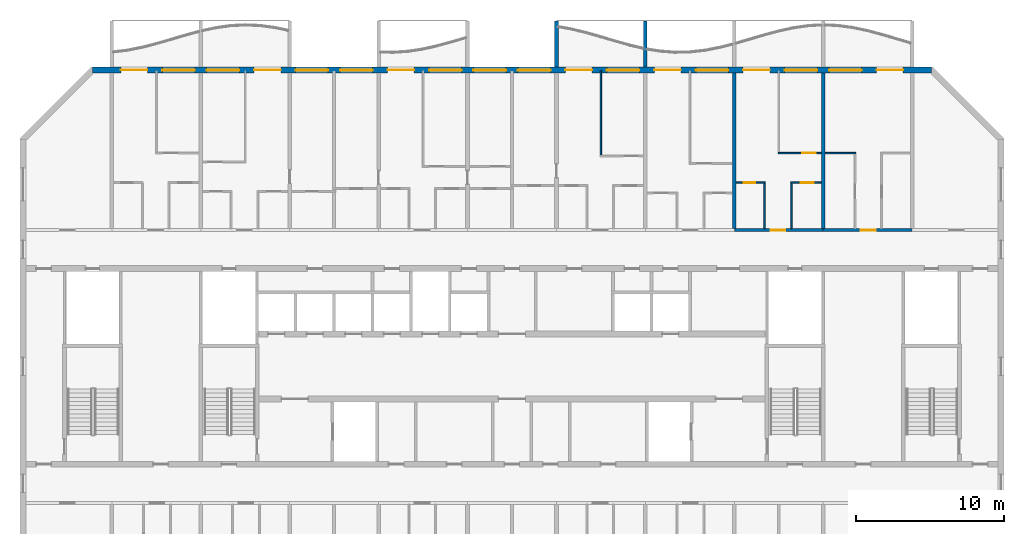
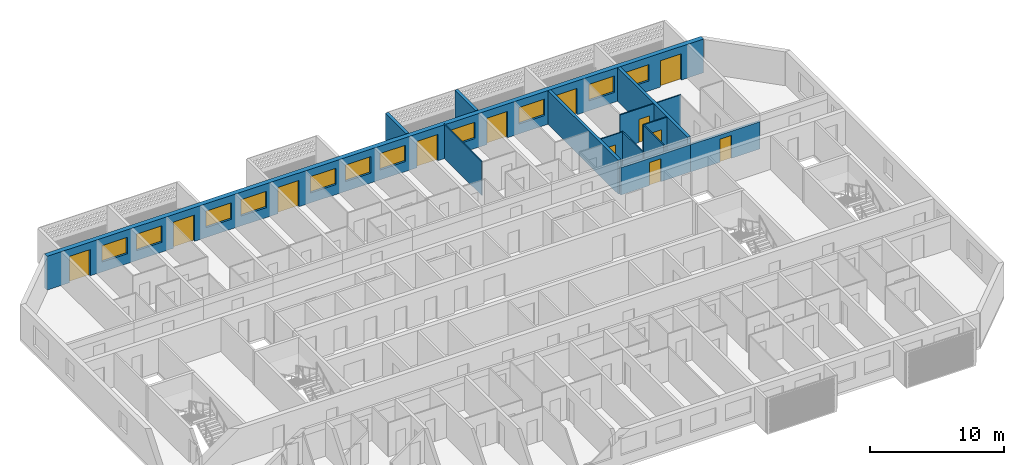
# One storey, part 10 of 28: 14 walls, 12 doors, 11 windows, 23 openings.
"""IFC4 building model written with IfcOpenShell, lengths in metres."""

from ifc_helpers import new_model, si_unit, direction, frame, frame_2d, origin, place, context, subcontext, project, spatial, polyline, rectangle, outline, extrude, source, transform, mapped, material, layer, layer_set, type_object, element, fill, save


model = new_model("IFC4")

# Units and contexts
model_context = context("Model", 3, precision=1e-05, world=origin(), true_north=direction((0.0, 1.0)))
body_context = subcontext(model_context, "Body", "Model", "MODEL_VIEW")
ifc_project = project(units=[si_unit("LENGTHUNIT", "METRE"), si_unit("AREAUNIT", "SQUARE_METRE"), si_unit("VOLUMEUNIT", "CUBIC_METRE"), si_unit("PLANEANGLEUNIT", "RADIAN"), si_unit("MASSUNIT", "GRAM", prefix="KILO")], contexts=[model_context])

# Site, building, storey
site_placement = place(None, origin())
site = spatial("IfcSite", under=ifc_project, at=site_placement, CompositionType="ELEMENT")
building_placement = place(site_placement, origin())
building = spatial("IfcBuilding", under=site, at=building_placement, Name="Poui Terraces", CompositionType="ELEMENT")
storey_placement = place(building_placement, frame((0.0, 0.0, 185.10009765625)))
storey = spatial("IfcBuildingStorey", under=building, at=storey_placement, Name="L51", CompositionType="ELEMENT", Elevation=185.10009765625)

# Wall, opening, door
ifc_material_1 = material(Name="Concrete 50 MPa", Category="concrete")
ifc_layer_1 = layer(ifc_material_1, 0.199951171875)
ifc_layer_set_1 = layer_set([ifc_layer_1], Name="Concrete 50 MPa")
wall_type_1 = type_object("IfcWallType", Name="CORRIDOR WALL 200 50MPa", PredefinedType="SHEAR", material=ifc_layer_set_1)
wall_1_placement = place(storey_placement, frame((66.0, 30.39990234375, 0.0), z_axis=(0.0, 0.0, 1.0), x_axis=(1.0, 0.0, 0.0)))
wall_1 = element("IfcWall", 1, at=wall_1_placement, inside=storey, type_object=wall_type_1, Name="CORRIDOR WALL LINE E BAY 9", PredefinedType="SHEAR", context=body_context, shape_type="SweptSolid", body=[
    extrude(rectangle(XDim=6.0, YDim=0.199951171875, at=frame_2d((3.0, 0.0))), origin(), (0.0, 0.0, 1.0), 2.47998046875),
])
opening_1_placement = place(wall_1_placement, frame((2.449951171875, 0.0, 0.0)))
opening_1 = element("IfcOpeningElement", 2, at=opening_1_placement, cuts=wall_1, Name="Opening FD30S", PredefinedType="OPENING", context=body_context, shape_type="SweptSolid", body=[
    extrude(rectangle(XDim=1.0, YDim=2.10009765625, at=frame_2d((0.5, 1.050048828125))), frame((0.0, 0.10986328125, 0.0), z_axis=(0.0, -1.0, 0.0), x_axis=(1.0, 0.0, 0.0)), (0.0, 0.0, 1.0), 0.219970703125),
])
ifc_material_2 = material(Name="Steel fire door", Category="steel")
door_type_1 = type_object("IfcDoorType", Name="FLAT ENTRANCE DOOR 1000 X 2100", OperationType="NOTDEFINED", PredefinedType="DOOR", material=ifc_material_2)
door_1_placement = place(opening_1_placement, origin())
door_1 = element("IfcDoor", 3, at=door_1_placement, inside=storey, type_object=door_type_1, Name="FLAT ENTRANCE DOOR 057", OperationType="SINGLE_SWING_LEFT", OverallHeight=2.10009765625, OverallWidth=1.0, PredefinedType="DOOR", context=body_context, shape_type="SweptSolid", body=[
    extrude(rectangle(XDim=1.0, YDim=2.10009765625, at=frame_2d((0.5, 1.050048828125))), frame((0.0, 0.02490234375, 0.0), z_axis=(0.0, -1.0, 0.0), x_axis=(1.0, 0.0, 0.0)), (0.0, 0.0, 1.0), 0.050048828125),
])
fill(opening_1, door_1)

wall_2_placement = place(storey_placement, frame((72.0, 30.39990234375, 0.0), z_axis=(0.0, 0.0, 1.0), x_axis=(1.0, 0.0, 0.0)))
wall_2 = element("IfcWall", 4, at=wall_2_placement, inside=storey, type_object=wall_type_1, Name="CORRIDOR WALL LINE E BAY 10", PredefinedType="SHEAR", context=body_context, shape_type="SweptSolid", body=[
    extrude(rectangle(XDim=6.0, YDim=0.199951171875, at=frame_2d((3.0, 0.0))), origin(), (0.0, 0.0, 1.0), 2.47998046875),
])
opening_2_placement = place(wall_2_placement, frame((2.550048828125, 0.0, 0.0)))
opening_2 = element("IfcOpeningElement", 5, at=opening_2_placement, cuts=wall_2, Name="Opening FD30S", PredefinedType="OPENING", context=body_context, shape_type="SweptSolid", body=[
    extrude(rectangle(XDim=1.0, YDim=2.10009765625, at=frame_2d((0.5, 1.050048828125))), frame((0.0, 0.10986328125, 0.0), z_axis=(0.0, -1.0, 0.0), x_axis=(1.0, 0.0, 0.0)), (0.0, 0.0, 1.0), 0.219970703125),
])
door_2_placement = place(opening_2_placement, origin())
door_2 = element("IfcDoor", 6, at=door_2_placement, inside=storey, type_object=door_type_1, Name="FLAT ENTRANCE DOOR 061", OperationType="SINGLE_SWING_RIGHT", OverallHeight=2.10009765625, OverallWidth=1.0, PredefinedType="DOOR", context=body_context, shape_type="SweptSolid", body=[
    extrude(rectangle(XDim=1.0, YDim=2.10009765625, at=frame_2d((0.5, 1.050048828125))), frame((0.0, 0.02490234375, 0.0), z_axis=(0.0, -1.0, 0.0), x_axis=(1.0, 0.0, 0.0)), (0.0, 0.0, 1.0), 0.050048828125),
])
fill(opening_2, door_2)

# Walls
ifc_layer_2 = layer(ifc_material_1, 0.25)
ifc_layer_set_2 = layer_set([ifc_layer_2], Name="Concrete 50 MPa")
wall_type_2 = type_object("IfcWallType", Name="CROSS WALL 250 50MPa", PredefinedType="SHEAR", material=ifc_layer_set_2)
for number, where, z_axis, x_axis, name in (
    (7, (66.0, 30.5, 0.0), (0.0, 0.0, 1.0), (0.0, 1.0, 0.0), "CROSS WALL LINE 12 NORTH"),
    (8, (72.0, 30.5, 0.0), (0.0, 0.0, 1.0), (0.0, 1.0, 0.0), "CROSS WALL LINE 13 NORTH"),
):
    element("IfcWall", number, at=place(storey_placement, frame(where, z_axis=z_axis, x_axis=x_axis)), inside=storey, type_object=wall_type_2, Name=name, PredefinedType="SHEAR", context=body_context, shape_type="SweptSolid", body=[
        extrude(rectangle(XDim=10.5, YDim=0.25, at=frame_2d((5.25, 0.0))), origin(), (0.0, 0.0, 1.0), 3.079833984375),
    ])

# Wall, openings, doors, windows
ifc_material_3 = material(Name="Precast concrete 40 MPa", Category="concrete")
ifc_layer_3 = layer(ifc_material_3, 0.39990234375)
ifc_layer_set_3 = layer_set([ifc_layer_3], Name="Precast concrete 40 MPa")
wall_type_3 = type_object("IfcWallType", Name="EXTERNAL WALL 400", PredefinedType="STANDARD", material=ifc_layer_set_3)
wall_3_placement = place(storey_placement, frame((79.317138671875, 41.199951171875, 0.0), z_axis=(0.0, 0.0, 1.0), x_axis=(-1.0, 0.0, 0.0)))
wall_3 = element("IfcWall", 9, at=wall_3_placement, inside=storey, type_object=wall_type_3, Name="EXTERNAL WALL N", PredefinedType="STANDARD", context=body_context, shape_type="SweptSolid", body=[
    extrude(rectangle(XDim=56.63427734375, YDim=0.39990234375, at=frame_2d((28.317138671875, 0.0))), origin(), (0.0, 0.0, 1.0), 3.079833984375),
])
opening_3_placement = place(wall_3_placement, frame((52.917236328125, 0.0, 0.0)))
opening_3 = element("IfcOpeningElement", 10, at=opening_3_placement, cuts=wall_3, Name="Opening BD1", PredefinedType="OPENING", context=body_context, shape_type="SweptSolid", body=[
    extrude(rectangle(XDim=1.800048828125, YDim=2.39990234375, at=frame_2d((0.89990234375, 1.199951171875))), frame((0.0, 0.2099609375, 0.0), z_axis=(0.0, -1.0, 0.0), x_axis=(1.0, 0.0, 0.0)), (0.0, 0.0, 1.0), 0.419921875),
])
opening_4_placement = place(wall_3_placement, frame((49.71728515625, 0.0, 0.89990234375)))
opening_4 = element("IfcOpeningElement", 11, at=opening_4_placement, cuts=wall_3, Name="Opening W1", PredefinedType="OPENING", context=body_context, shape_type="SweptSolid", body=[
    extrude(rectangle(XDim=2.199951171875, YDim=1.5, at=frame_2d((1.10009765625, 0.75))), frame((0.0, 0.2099609375, 0.0), z_axis=(0.0, -1.0, 0.0), x_axis=(1.0, 0.0, 0.0)), (0.0, 0.0, 1.0), 0.419921875),
])
opening_5_placement = place(wall_3_placement, frame((46.71728515625, 0.0, 0.89990234375)))
opening_5 = element("IfcOpeningElement", 12, at=opening_5_placement, cuts=wall_3, Name="Opening W1", PredefinedType="OPENING", context=body_context, shape_type="SweptSolid", body=[
    extrude(rectangle(XDim=2.199951171875, YDim=1.5, at=frame_2d((1.10009765625, 0.75))), frame((0.0, 0.2099609375, 0.0), z_axis=(0.0, -1.0, 0.0), x_axis=(1.0, 0.0, 0.0)), (0.0, 0.0, 1.0), 0.419921875),
])
opening_6_placement = place(wall_3_placement, frame((43.917236328125, 0.0, 0.0)))
opening_6 = element("IfcOpeningElement", 13, at=opening_6_placement, cuts=wall_3, Name="Opening BD1", PredefinedType="OPENING", context=body_context, shape_type="SweptSolid", body=[
    extrude(rectangle(XDim=1.800048828125, YDim=2.39990234375, at=frame_2d((0.89990234375, 1.199951171875))), frame((0.0, 0.2099609375, 0.0), z_axis=(0.0, -1.0, 0.0), x_axis=(1.0, 0.0, 0.0)), (0.0, 0.0, 1.0), 0.419921875),
])
opening_7_placement = place(wall_3_placement, frame((40.71728515625, 0.0, 0.89990234375)))
opening_7 = element("IfcOpeningElement", 14, at=opening_7_placement, cuts=wall_3, Name="Opening W1", PredefinedType="OPENING", context=body_context, shape_type="SweptSolid", body=[
    extrude(rectangle(XDim=2.199951171875, YDim=1.5, at=frame_2d((1.10009765625, 0.75))), frame((0.0, 0.2099609375, 0.0), z_axis=(0.0, -1.0, 0.0), x_axis=(1.0, 0.0, 0.0)), (0.0, 0.0, 1.0), 0.419921875),
])
opening_8_placement = place(wall_3_placement, frame((37.71728515625, 0.0, 0.89990234375)))
opening_8 = element("IfcOpeningElement", 15, at=opening_8_placement, cuts=wall_3, Name="Opening W1", PredefinedType="OPENING", context=body_context, shape_type="SweptSolid", body=[
    extrude(rectangle(XDim=2.199951171875, YDim=1.5, at=frame_2d((1.10009765625, 0.75))), frame((0.0, 0.2099609375, 0.0), z_axis=(0.0, -1.0, 0.0), x_axis=(1.0, 0.0, 0.0)), (0.0, 0.0, 1.0), 0.419921875),
])
opening_9_placement = place(wall_3_placement, frame((34.917236328125, 0.0, 0.0)))
opening_9 = element("IfcOpeningElement", 16, at=opening_9_placement, cuts=wall_3, Name="Opening BD1", PredefinedType="OPENING", context=body_context, shape_type="SweptSolid", body=[
    extrude(rectangle(XDim=1.800048828125, YDim=2.39990234375, at=frame_2d((0.89990234375, 1.199951171875))), frame((0.0, 0.2099609375, 0.0), z_axis=(0.0, -1.0, 0.0), x_axis=(1.0, 0.0, 0.0)), (0.0, 0.0, 1.0), 0.419921875),
])
opening_10_placement = place(wall_3_placement, frame((31.71728515625, 0.0, 0.89990234375)))
opening_10 = element("IfcOpeningElement", 17, at=opening_10_placement, cuts=wall_3, Name="Opening W1", PredefinedType="OPENING", context=body_context, shape_type="SweptSolid", body=[
    extrude(rectangle(XDim=2.199951171875, YDim=1.5, at=frame_2d((1.10009765625, 0.75))), frame((0.0, 0.2099609375, 0.0), z_axis=(0.0, -1.0, 0.0), x_axis=(1.0, 0.0, 0.0)), (0.0, 0.0, 1.0), 0.419921875),
])
opening_11_placement = place(wall_3_placement, frame((28.71728515625, 0.0, 0.89990234375)))
opening_11 = element("IfcOpeningElement", 18, at=opening_11_placement, cuts=wall_3, Name="Opening W1", PredefinedType="OPENING", context=body_context, shape_type="SweptSolid", body=[
    extrude(rectangle(XDim=2.199951171875, YDim=1.5, at=frame_2d((1.10009765625, 0.75))), frame((0.0, 0.2099609375, 0.0), z_axis=(0.0, -1.0, 0.0), x_axis=(1.0, 0.0, 0.0)), (0.0, 0.0, 1.0), 0.419921875),
])
opening_12_placement = place(wall_3_placement, frame((25.71728515625, 0.0, 0.89990234375)))
opening_12 = element("IfcOpeningElement", 19, at=opening_12_placement, cuts=wall_3, Name="Opening W1", PredefinedType="OPENING", context=body_context, shape_type="SweptSolid", body=[
    extrude(rectangle(XDim=2.199951171875, YDim=1.5, at=frame_2d((1.10009765625, 0.75))), frame((0.0, 0.2099609375, 0.0), z_axis=(0.0, -1.0, 0.0), x_axis=(1.0, 0.0, 0.0)), (0.0, 0.0, 1.0), 0.419921875),
])
opening_13_placement = place(wall_3_placement, frame((22.917236328125, 0.0, 0.0)))
opening_13 = element("IfcOpeningElement", 20, at=opening_13_placement, cuts=wall_3, Name="Opening BD1", PredefinedType="OPENING", context=body_context, shape_type="SweptSolid", body=[
    extrude(rectangle(XDim=1.800048828125, YDim=2.39990234375, at=frame_2d((0.89990234375, 1.199951171875))), frame((0.0, 0.2099609375, 0.0), z_axis=(0.0, -1.0, 0.0), x_axis=(1.0, 0.0, 0.0)), (0.0, 0.0, 1.0), 0.419921875),
])
opening_14_placement = place(wall_3_placement, frame((19.71728515625, 0.0, 0.89990234375)))
opening_14 = element("IfcOpeningElement", 21, at=opening_14_placement, cuts=wall_3, Name="Opening W1", PredefinedType="OPENING", context=body_context, shape_type="SweptSolid", body=[
    extrude(rectangle(XDim=2.199951171875, YDim=1.5, at=frame_2d((1.10009765625, 0.75))), frame((0.0, 0.2099609375, 0.0), z_axis=(0.0, -1.0, 0.0), x_axis=(1.0, 0.0, 0.0)), (0.0, 0.0, 1.0), 0.419921875),
])
opening_15_placement = place(wall_3_placement, frame((16.917236328125, 0.0, 0.0)))
opening_15 = element("IfcOpeningElement", 22, at=opening_15_placement, cuts=wall_3, Name="Opening BD1", PredefinedType="OPENING", context=body_context, shape_type="SweptSolid", body=[
    extrude(rectangle(XDim=1.800048828125, YDim=2.39990234375, at=frame_2d((0.89990234375, 1.199951171875))), frame((0.0, 0.2099609375, 0.0), z_axis=(0.0, -1.0, 0.0), x_axis=(1.0, 0.0, 0.0)), (0.0, 0.0, 1.0), 0.419921875),
])
opening_16_placement = place(wall_3_placement, frame((13.71728515625, 0.0, 0.89990234375)))
opening_16 = element("IfcOpeningElement", 23, at=opening_16_placement, cuts=wall_3, Name="Opening W1", PredefinedType="OPENING", context=body_context, shape_type="SweptSolid", body=[
    extrude(rectangle(XDim=2.199951171875, YDim=1.5, at=frame_2d((1.10009765625, 0.75))), frame((0.0, 0.2099609375, 0.0), z_axis=(0.0, -1.0, 0.0), x_axis=(1.0, 0.0, 0.0)), (0.0, 0.0, 1.0), 0.419921875),
])
opening_17_placement = place(wall_3_placement, frame((10.917236328125, 0.0, 0.0)))
opening_17 = element("IfcOpeningElement", 24, at=opening_17_placement, cuts=wall_3, Name="Opening BD1", PredefinedType="OPENING", context=body_context, shape_type="SweptSolid", body=[
    extrude(rectangle(XDim=1.800048828125, YDim=2.39990234375, at=frame_2d((0.89990234375, 1.199951171875))), frame((0.0, 0.2099609375, 0.0), z_axis=(0.0, -1.0, 0.0), x_axis=(1.0, 0.0, 0.0)), (0.0, 0.0, 1.0), 0.419921875),
])
opening_18_placement = place(wall_3_placement, frame((7.71728515625, 0.0, 0.89990234375)))
opening_18 = element("IfcOpeningElement", 25, at=opening_18_placement, cuts=wall_3, Name="Opening W1", PredefinedType="OPENING", context=body_context, shape_type="SweptSolid", body=[
    extrude(rectangle(XDim=2.199951171875, YDim=1.5, at=frame_2d((1.10009765625, 0.75))), frame((0.0, 0.2099609375, 0.0), z_axis=(0.0, -1.0, 0.0), x_axis=(1.0, 0.0, 0.0)), (0.0, 0.0, 1.0), 0.419921875),
])
opening_19_placement = place(wall_3_placement, frame((4.71728515625, 0.0, 0.89990234375)))
opening_19 = element("IfcOpeningElement", 26, at=opening_19_placement, cuts=wall_3, Name="Opening W1", PredefinedType="OPENING", context=body_context, shape_type="SweptSolid", body=[
    extrude(rectangle(XDim=2.199951171875, YDim=1.5, at=frame_2d((1.10009765625, 0.75))), frame((0.0, 0.2099609375, 0.0), z_axis=(0.0, -1.0, 0.0), x_axis=(1.0, 0.0, 0.0)), (0.0, 0.0, 1.0), 0.419921875),
])
opening_20_placement = place(wall_3_placement, frame((1.917236328125, 0.0, 0.0)))
opening_20 = element("IfcOpeningElement", 27, at=opening_20_placement, cuts=wall_3, Name="Opening BD1", PredefinedType="OPENING", context=body_context, shape_type="SweptSolid", body=[
    extrude(rectangle(XDim=1.800048828125, YDim=2.39990234375, at=frame_2d((0.89990234375, 1.199951171875))), frame((0.0, 0.2099609375, 0.0), z_axis=(0.0, -1.0, 0.0), x_axis=(1.0, 0.0, 0.0)), (0.0, 0.0, 1.0), 0.419921875),
])
ifc_material_4 = material(Name="Clear glass in aluminium frame", Category="aluminium")
door_type_2 = type_object("IfcDoorType", Name="BALCONY DOOR 1800X2400", OperationType="DOUBLE_DOOR_SLIDING", PredefinedType="DOOR", material=ifc_material_4)
door_3_placement = place(opening_3_placement, origin())
door_3 = element("IfcDoor", 28, at=door_3_placement, inside=storey, type_object=door_type_2, Name="BD1 BALCONY DOOR", OperationType="DOUBLE_DOOR_SLIDING", OverallHeight=2.39990234375, OverallWidth=1.800048828125, PredefinedType="DOOR", context=body_context, shape_type="SweptSolid", body=[
    extrude(rectangle(XDim=1.800048828125, YDim=2.39990234375, at=frame_2d((0.89990234375, 1.199951171875))), frame((0.0, 0.02490234375, 0.0), z_axis=(0.0, -1.0, 0.0), x_axis=(1.0, 0.0, 0.0)), (0.0, 0.0, 1.0), 0.050048828125),
])
fill(opening_3, door_3)
door_4_placement = place(opening_6_placement, origin())
door_4 = element("IfcDoor", 29, at=door_4_placement, inside=storey, type_object=door_type_2, Name="BD1 BALCONY DOOR", OperationType="DOUBLE_DOOR_SLIDING", OverallHeight=2.39990234375, OverallWidth=1.800048828125, PredefinedType="DOOR", context=body_context, shape_type="SweptSolid", body=[
    extrude(rectangle(XDim=1.800048828125, YDim=2.39990234375, at=frame_2d((0.89990234375, 1.199951171875))), frame((0.0, 0.02490234375, 0.0), z_axis=(0.0, -1.0, 0.0), x_axis=(1.0, 0.0, 0.0)), (0.0, 0.0, 1.0), 0.050048828125),
])
fill(opening_6, door_4)
door_5_placement = place(opening_9_placement, origin())
door_5 = element("IfcDoor", 30, at=door_5_placement, inside=storey, type_object=door_type_2, Name="BD1 BALCONY DOOR", OperationType="DOUBLE_DOOR_SLIDING", OverallHeight=2.39990234375, OverallWidth=1.800048828125, PredefinedType="DOOR", context=body_context, shape_type="SweptSolid", body=[
    extrude(rectangle(XDim=1.800048828125, YDim=2.39990234375, at=frame_2d((0.89990234375, 1.199951171875))), frame((0.0, 0.02490234375, 0.0), z_axis=(0.0, -1.0, 0.0), x_axis=(1.0, 0.0, 0.0)), (0.0, 0.0, 1.0), 0.050048828125),
])
fill(opening_9, door_5)
door_6_placement = place(opening_13_placement, origin())
door_6 = element("IfcDoor", 31, at=door_6_placement, inside=storey, type_object=door_type_2, Name="BD1 BALCONY DOOR", OperationType="DOUBLE_DOOR_SLIDING", OverallHeight=2.39990234375, OverallWidth=1.800048828125, PredefinedType="DOOR", context=body_context, shape_type="SweptSolid", body=[
    extrude(rectangle(XDim=1.800048828125, YDim=2.39990234375, at=frame_2d((0.89990234375, 1.199951171875))), frame((0.0, 0.02490234375, 0.0), z_axis=(0.0, -1.0, 0.0), x_axis=(1.0, 0.0, 0.0)), (0.0, 0.0, 1.0), 0.050048828125),
])
fill(opening_13, door_6)
door_7_placement = place(opening_15_placement, origin())
door_7 = element("IfcDoor", 32, at=door_7_placement, inside=storey, type_object=door_type_2, Name="BD1 BALCONY DOOR", OperationType="DOUBLE_DOOR_SLIDING", OverallHeight=2.39990234375, OverallWidth=1.800048828125, PredefinedType="DOOR", context=body_context, shape_type="SweptSolid", body=[
    extrude(rectangle(XDim=1.800048828125, YDim=2.39990234375, at=frame_2d((0.89990234375, 1.199951171875))), frame((0.0, 0.02490234375, 0.0), z_axis=(0.0, -1.0, 0.0), x_axis=(1.0, 0.0, 0.0)), (0.0, 0.0, 1.0), 0.050048828125),
])
fill(opening_15, door_7)
door_8_placement = place(opening_17_placement, origin())
door_8 = element("IfcDoor", 33, at=door_8_placement, inside=storey, type_object=door_type_2, Name="BD1 BALCONY DOOR", OperationType="DOUBLE_DOOR_SLIDING", OverallHeight=2.39990234375, OverallWidth=1.800048828125, PredefinedType="DOOR", context=body_context, shape_type="SweptSolid", body=[
    extrude(rectangle(XDim=1.800048828125, YDim=2.39990234375, at=frame_2d((0.89990234375, 1.199951171875))), frame((0.0, 0.02490234375, 0.0), z_axis=(0.0, -1.0, 0.0), x_axis=(1.0, 0.0, 0.0)), (0.0, 0.0, 1.0), 0.050048828125),
])
fill(opening_17, door_8)
door_9_placement = place(opening_20_placement, origin())
door_9 = element("IfcDoor", 34, at=door_9_placement, inside=storey, type_object=door_type_2, Name="BD1 BALCONY DOOR", OperationType="DOUBLE_DOOR_SLIDING", OverallHeight=2.39990234375, OverallWidth=1.800048828125, PredefinedType="DOOR", context=body_context, shape_type="SweptSolid", body=[
    extrude(rectangle(XDim=1.800048828125, YDim=2.39990234375, at=frame_2d((0.89990234375, 1.199951171875))), frame((0.0, 0.02490234375, 0.0), z_axis=(0.0, -1.0, 0.0), x_axis=(1.0, 0.0, 0.0)), (0.0, 0.0, 1.0), 0.050048828125),
])
fill(opening_20, door_9)
window_type = type_object("IfcWindowType", Name="WINDOW 2200X1500", PartitioningType="DOUBLE_PANEL_HORIZONTAL", PredefinedType="WINDOW", material=ifc_material_4)
window_1_placement = place(opening_4_placement, origin())
window_1 = element("IfcWindow", 35, at=window_1_placement, inside=storey, type_object=window_type, Name="W1 WINDOW", OverallHeight=1.5, OverallWidth=2.199951171875, PartitioningType="DOUBLE_PANEL_HORIZONTAL", PredefinedType="WINDOW", context=body_context, shape_type="SweptSolid", body=[
    extrude(rectangle(XDim=2.199951171875, YDim=1.5, at=frame_2d((1.10009765625, 0.75))), frame((0.0, 0.030029296875, 0.0), z_axis=(0.0, -1.0, 0.0), x_axis=(1.0, 0.0, 0.0)), (0.0, 0.0, 1.0), 0.06005859375),
])
fill(opening_4, window_1)
window_2_placement = place(opening_5_placement, origin())
window_2 = element("IfcWindow", 36, at=window_2_placement, inside=storey, type_object=window_type, Name="W1 WINDOW", OverallHeight=1.5, OverallWidth=2.199951171875, PartitioningType="DOUBLE_PANEL_HORIZONTAL", PredefinedType="WINDOW", context=body_context, shape_type="SweptSolid", body=[
    extrude(rectangle(XDim=2.199951171875, YDim=1.5, at=frame_2d((1.10009765625, 0.75))), frame((0.0, 0.030029296875, 0.0), z_axis=(0.0, -1.0, 0.0), x_axis=(1.0, 0.0, 0.0)), (0.0, 0.0, 1.0), 0.06005859375),
])
fill(opening_5, window_2)
window_3_placement = place(opening_7_placement, origin())
window_3 = element("IfcWindow", 37, at=window_3_placement, inside=storey, type_object=window_type, Name="W1 WINDOW", OverallHeight=1.5, OverallWidth=2.199951171875, PartitioningType="DOUBLE_PANEL_HORIZONTAL", PredefinedType="WINDOW", context=body_context, shape_type="SweptSolid", body=[
    extrude(rectangle(XDim=2.199951171875, YDim=1.5, at=frame_2d((1.10009765625, 0.75))), frame((0.0, 0.030029296875, 0.0), z_axis=(0.0, -1.0, 0.0), x_axis=(1.0, 0.0, 0.0)), (0.0, 0.0, 1.0), 0.06005859375),
])
fill(opening_7, window_3)
window_4_placement = place(opening_8_placement, origin())
window_4 = element("IfcWindow", 38, at=window_4_placement, inside=storey, type_object=window_type, Name="W1 WINDOW", OverallHeight=1.5, OverallWidth=2.199951171875, PartitioningType="DOUBLE_PANEL_HORIZONTAL", PredefinedType="WINDOW", context=body_context, shape_type="SweptSolid", body=[
    extrude(rectangle(XDim=2.199951171875, YDim=1.5, at=frame_2d((1.10009765625, 0.75))), frame((0.0, 0.030029296875, 0.0), z_axis=(0.0, -1.0, 0.0), x_axis=(1.0, 0.0, 0.0)), (0.0, 0.0, 1.0), 0.06005859375),
])
fill(opening_8, window_4)
window_5_placement = place(opening_10_placement, origin())
window_5 = element("IfcWindow", 39, at=window_5_placement, inside=storey, type_object=window_type, Name="W1 WINDOW", OverallHeight=1.5, OverallWidth=2.199951171875, PartitioningType="DOUBLE_PANEL_HORIZONTAL", PredefinedType="WINDOW", context=body_context, shape_type="SweptSolid", body=[
    extrude(rectangle(XDim=2.199951171875, YDim=1.5, at=frame_2d((1.10009765625, 0.75))), frame((0.0, 0.030029296875, 0.0), z_axis=(0.0, -1.0, 0.0), x_axis=(1.0, 0.0, 0.0)), (0.0, 0.0, 1.0), 0.06005859375),
])
fill(opening_10, window_5)
window_6_placement = place(opening_11_placement, origin())
window_6 = element("IfcWindow", 40, at=window_6_placement, inside=storey, type_object=window_type, Name="W1 WINDOW", OverallHeight=1.5, OverallWidth=2.199951171875, PartitioningType="DOUBLE_PANEL_HORIZONTAL", PredefinedType="WINDOW", context=body_context, shape_type="SweptSolid", body=[
    extrude(rectangle(XDim=2.199951171875, YDim=1.5, at=frame_2d((1.10009765625, 0.75))), frame((0.0, 0.030029296875, 0.0), z_axis=(0.0, -1.0, 0.0), x_axis=(1.0, 0.0, 0.0)), (0.0, 0.0, 1.0), 0.06005859375),
])
fill(opening_11, window_6)
window_7_placement = place(opening_12_placement, origin())
window_7 = element("IfcWindow", 41, at=window_7_placement, inside=storey, type_object=window_type, Name="W1 WINDOW", OverallHeight=1.5, OverallWidth=2.199951171875, PartitioningType="DOUBLE_PANEL_HORIZONTAL", PredefinedType="WINDOW", context=body_context, shape_type="SweptSolid", body=[
    extrude(rectangle(XDim=2.199951171875, YDim=1.5, at=frame_2d((1.10009765625, 0.75))), frame((0.0, 0.030029296875, 0.0), z_axis=(0.0, -1.0, 0.0), x_axis=(1.0, 0.0, 0.0)), (0.0, 0.0, 1.0), 0.06005859375),
])
fill(opening_12, window_7)
window_8_placement = place(opening_14_placement, origin())
window_8 = element("IfcWindow", 42, at=window_8_placement, inside=storey, type_object=window_type, Name="W1 WINDOW", OverallHeight=1.5, OverallWidth=2.199951171875, PartitioningType="DOUBLE_PANEL_HORIZONTAL", PredefinedType="WINDOW", context=body_context, shape_type="SweptSolid", body=[
    extrude(rectangle(XDim=2.199951171875, YDim=1.5, at=frame_2d((1.10009765625, 0.75))), frame((0.0, 0.030029296875, 0.0), z_axis=(0.0, -1.0, 0.0), x_axis=(1.0, 0.0, 0.0)), (0.0, 0.0, 1.0), 0.06005859375),
])
fill(opening_14, window_8)
window_9_placement = place(opening_16_placement, origin())
window_9 = element("IfcWindow", 43, at=window_9_placement, inside=storey, type_object=window_type, Name="W1 WINDOW", OverallHeight=1.5, OverallWidth=2.199951171875, PartitioningType="DOUBLE_PANEL_HORIZONTAL", PredefinedType="WINDOW", context=body_context, shape_type="SweptSolid", body=[
    extrude(rectangle(XDim=2.199951171875, YDim=1.5, at=frame_2d((1.10009765625, 0.75))), frame((0.0, 0.030029296875, 0.0), z_axis=(0.0, -1.0, 0.0), x_axis=(1.0, 0.0, 0.0)), (0.0, 0.0, 1.0), 0.06005859375),
])
fill(opening_16, window_9)
window_10_placement = place(opening_18_placement, origin())
window_10 = element("IfcWindow", 44, at=window_10_placement, inside=storey, type_object=window_type, Name="W1 WINDOW", OverallHeight=1.5, OverallWidth=2.199951171875, PartitioningType="DOUBLE_PANEL_HORIZONTAL", PredefinedType="WINDOW", context=body_context, shape_type="SweptSolid", body=[
    extrude(rectangle(XDim=2.199951171875, YDim=1.5, at=frame_2d((1.10009765625, 0.75))), frame((0.0, 0.030029296875, 0.0), z_axis=(0.0, -1.0, 0.0), x_axis=(1.0, 0.0, 0.0)), (0.0, 0.0, 1.0), 0.06005859375),
])
fill(opening_18, window_10)
window_11_placement = place(opening_19_placement, origin())
window_11 = element("IfcWindow", 45, at=window_11_placement, inside=storey, type_object=window_type, Name="W1 WINDOW", OverallHeight=1.5, OverallWidth=2.199951171875, PartitioningType="DOUBLE_PANEL_HORIZONTAL", PredefinedType="WINDOW", context=body_context, shape_type="SweptSolid", body=[
    extrude(rectangle(XDim=2.199951171875, YDim=1.5, at=frame_2d((1.10009765625, 0.75))), frame((0.0, 0.030029296875, 0.0), z_axis=(0.0, -1.0, 0.0), x_axis=(1.0, 0.0, 0.0)), (0.0, 0.0, 1.0), 0.06005859375),
])
fill(opening_19, window_11)

# Wall, opening, door
ifc_material_5 = material(Name="Plasterboard partition")
ifc_layer_4 = layer(ifc_material_5, 0.10009765625)
ifc_layer_set_4 = layer_set([ifc_layer_4], Name="Plasterboard partition")
wall_type_4 = type_object("IfcWallType", Name="FLAT PARTITION 100", PredefinedType="PARTITIONING", material=ifc_layer_set_4)
wall_4_placement = place(storey_placement, frame((66.135009765625, 33.60009765625, 0.0), z_axis=(0.0, 0.0, 1.0), x_axis=(1.0, 0.0, 0.0)))
wall_4 = element("IfcWall", 46, at=wall_4_placement, inside=storey, type_object=wall_type_4, Name="FLAT PARTITION 100", PredefinedType="PARTITIONING", context=body_context, shape_type="SweptSolid", body=[
    extrude(rectangle(XDim=1.965087890625, YDim=0.10009765625, at=frame_2d((0.982421875, 0.0))), origin(), (0.0, 0.0, 1.0), 3.079833984375),
])
opening_21_placement = place(wall_4_placement, frame((0.489990234375, 0.0, 0.0)))
opening_21 = element("IfcOpeningElement", 47, at=opening_21_placement, cuts=wall_4, Name="Opening D80", PredefinedType="OPENING", context=body_context, shape_type="SweptSolid", body=[
    extrude(rectangle(XDim=0.800048828125, YDim=2.10009765625, at=frame_2d((0.39990234375, 1.050048828125))), frame((0.0, 0.06005859375, 0.0), z_axis=(0.0, -1.0, 0.0), x_axis=(1.0, 0.0, 0.0)), (0.0, 0.0, 1.0), 0.1201171875),
])
ifc_material_6 = material(Name="Solid core timber door", Category="wood")
door_type_3 = type_object("IfcDoorType", Name="BATHROOM, LAUNDRY AND STORE DOOR 800 X 2100", OperationType="NOTDEFINED", PredefinedType="DOOR", material=ifc_material_6)
door_10_placement = place(opening_21_placement, frame((0.800048828125, 0.0, 0.0), z_axis=(0.0, 0.0, 1.0), x_axis=(-1.0, 0.0, 0.0)))
door_10 = element("IfcDoor", 48, at=door_10_placement, inside=storey, type_object=door_type_3, Name="BATHROOM, LAUNDRY AND STORE DOOR 056", OperationType="SINGLE_SWING_RIGHT", OverallHeight=2.10009765625, OverallWidth=0.800048828125, PredefinedType="DOOR", context=body_context, shape_type="SweptSolid", body=[
    extrude(rectangle(XDim=0.800048828125, YDim=2.10009765625, at=frame_2d((0.39990234375, 1.050048828125))), frame((0.0, 0.02490234375, 0.0), z_axis=(0.0, -1.0, 0.0), x_axis=(1.0, 0.0, 0.0)), (0.0, 0.0, 1.0), 0.050048828125),
])
fill(opening_21, door_10)

wall_5_placement = place(storey_placement, frame((69.800048828125, 33.60009765625, 0.0), z_axis=(0.0, 0.0, 1.0), x_axis=(1.0, 0.0, 0.0)))
wall_5 = element("IfcWall", 49, at=wall_5_placement, inside=storey, type_object=wall_type_4, Name="FLAT PARTITION 100", PredefinedType="PARTITIONING", context=body_context, shape_type="SweptSolid", body=[
    extrude(rectangle(XDim=2.06494140625, YDim=0.10009765625, at=frame_2d((1.032470703125, 0.0))), origin(), (0.0, 0.0, 1.0), 3.079833984375),
])
opening_22_placement = place(wall_5_placement, frame((0.675048828125, 0.0, 0.0)))
opening_22 = element("IfcOpeningElement", 50, at=opening_22_placement, cuts=wall_5, Name="Opening D90", PredefinedType="OPENING", context=body_context, shape_type="SweptSolid", body=[
    extrude(rectangle(XDim=0.89990234375, YDim=2.10009765625, at=frame_2d((0.449951171875, 1.050048828125))), frame((0.0, 0.06005859375, 0.0), z_axis=(0.0, -1.0, 0.0), x_axis=(1.0, 0.0, 0.0)), (0.0, 0.0, 1.0), 0.1201171875),
])
door_type_4 = type_object("IfcDoorType", Name="INTERNAL DOOR 900 X 2100", OperationType="NOTDEFINED", PredefinedType="DOOR", material=ifc_material_6)
door_11_placement = place(opening_22_placement, frame((0.89990234375, 0.0, 0.0), z_axis=(0.0, 0.0, 1.0), x_axis=(-1.0, 0.0, 0.0)))
door_11 = element("IfcDoor", 51, at=door_11_placement, inside=storey, type_object=door_type_4, Name="INTERNAL DOOR 058", OperationType="SINGLE_SWING_LEFT", OverallHeight=2.10009765625, OverallWidth=0.89990234375, PredefinedType="DOOR", context=body_context, shape_type="SweptSolid", body=[
    extrude(rectangle(XDim=0.89990234375, YDim=2.10009765625, at=frame_2d((0.449951171875, 1.050048828125))), frame((0.0, 0.02490234375, 0.0), z_axis=(0.0, -1.0, 0.0), x_axis=(1.0, 0.0, 0.0)), (0.0, 0.0, 1.0), 0.050048828125),
])
fill(opening_22, door_11)

wall_6_placement = place(storey_placement, frame((68.949951171875, 35.60009765625, 0.0), z_axis=(0.0, 0.0, 1.0), x_axis=(1.0, 0.0, 0.0)))
wall_6 = element("IfcWall", 52, at=wall_6_placement, inside=storey, type_object=wall_type_4, Name="FLAT PARTITION 100", PredefinedType="PARTITIONING", context=body_context, shape_type="SweptSolid", body=[
    extrude(rectangle(XDim=2.9150390625, YDim=0.10009765625, at=frame_2d((1.45751953125, 0.0))), origin(), (0.0, 0.0, 1.0), 3.079833984375),
])
opening_23_placement = place(wall_6_placement, frame((1.64990234375, 0.0, 0.0)))
opening_23 = element("IfcOpeningElement", 53, at=opening_23_placement, cuts=wall_6, Name="Opening D90", PredefinedType="OPENING", context=body_context, shape_type="SweptSolid", body=[
    extrude(rectangle(XDim=0.89990234375, YDim=2.10009765625, at=frame_2d((0.449951171875, 1.050048828125))), frame((0.0, 0.06005859375, 0.0), z_axis=(0.0, -1.0, 0.0), x_axis=(1.0, 0.0, 0.0)), (0.0, 0.0, 1.0), 0.1201171875),
])
door_12_placement = place(opening_23_placement, frame((0.89990234375, 0.0, 0.0), z_axis=(0.0, 0.0, 1.0), x_axis=(-1.0, 0.0, 0.0)))
door_12 = element("IfcDoor", 54, at=door_12_placement, inside=storey, type_object=door_type_4, Name="INTERNAL DOOR 059", OperationType="SINGLE_SWING_RIGHT", OverallHeight=2.10009765625, OverallWidth=0.89990234375, PredefinedType="DOOR", context=body_context, shape_type="SweptSolid", body=[
    extrude(rectangle(XDim=0.89990234375, YDim=2.10009765625, at=frame_2d((0.449951171875, 1.050048828125))), frame((0.0, 0.02490234375, 0.0), z_axis=(0.0, -1.0, 0.0), x_axis=(1.0, 0.0, 0.0)), (0.0, 0.0, 1.0), 0.050048828125),
])
fill(opening_23, door_12)

# Walls
wall_7_placement = place(storey_placement, frame((72.135009765625, 35.60009765625, 0.0), z_axis=(0.0, 0.0, 1.0), x_axis=(1.0, 0.0, 0.0)))
element("IfcWall", 55, at=wall_7_placement, inside=storey, type_object=wall_type_4, Name="FLAT PARTITION 100", PredefinedType="PARTITIONING", context=body_context, shape_type="SweptSolid", body=[
    extrude(rectangle(XDim=2.06494140625, YDim=0.10009765625, at=frame_2d((1.032470703125, 0.0))), origin(), (0.0, 0.0, 1.0), 3.079833984375),
])
wall_8_placement = place(storey_placement, frame((57.0, 35.449951171875, 0.0), z_axis=(0.0, 0.0, 1.0), x_axis=(0.0, 1.0, 0.0)))
element("IfcWall", 56, at=wall_8_placement, inside=storey, type_object=wall_type_4, Name="FLAT PARTITION 100", PredefinedType="PARTITIONING", context=body_context, shape_type="SweptSolid", body=[
    extrude(rectangle(XDim=5.68994140625, YDim=0.10009765625, at=frame_2d((2.844970703125, 0.0))), origin(), (0.0, 0.0, 1.0), 3.079833984375),
])
for number, where, z_axis, x_axis, name in (
    (57, (68.050048828125, 30.510009765625, 0.0), (0.0, 0.0, 1.0), (0.0, 1.0, 0.0), "FLAT PARTITION 100"),
    (58, (69.85009765625, 30.510009765625, 0.0), (0.0, 0.0, 1.0), (0.0, 1.0, 0.0), "FLAT PARTITION 100"),
):
    element("IfcWall", number, at=place(storey_placement, frame(where, z_axis=z_axis, x_axis=x_axis)), inside=storey, type_object=wall_type_4, Name=name, PredefinedType="PARTITIONING", context=body_context, shape_type="SweptSolid", body=[
        extrude(rectangle(XDim=3.0400390625, YDim=0.10009765625, at=frame_2d((1.52001953125, 0.0))), origin(), (0.0, 0.0, 1.0), 3.079833984375),
    ])
ifc_layer_5 = layer(ifc_material_3, 0.25)
ifc_layer_set_5 = layer_set([ifc_layer_5], Name="Precast concrete 40 MPa")
wall_type_5 = type_object("IfcWallType", Name="BALCONY FIN 250", PredefinedType="STANDARD", material=ifc_layer_set_5)
shared_shape = source(origin(), body_context, "Body", "SweptSolid", [
    extrude(outline(polyline([(0.0, 0.0), (0.25, 0.0), (0.25, 3.10009765625), (0.0, 3.10009765625), (0.0, 0.0)])), origin(), (0.0, 0.0, 1.0), 3.099853515625),
])
for number, where, name in (
    (59, (53.875, 41.39990234375, 0.0), "BALCONY FIN"),
    (60, (59.875, 41.39990234375, 0.0), "BALCONY FIN"),
):
    element("IfcWall", number, at=place(storey_placement, frame(where)), inside=storey, type_object=wall_type_5, Name=name, PredefinedType="STANDARD", context=body_context, shape_type="MappedRepresentation", body=[
        mapped(shared_shape, transform((0.0, 0.0, 0.0))),
    ])

save(model, "model.ifc")
